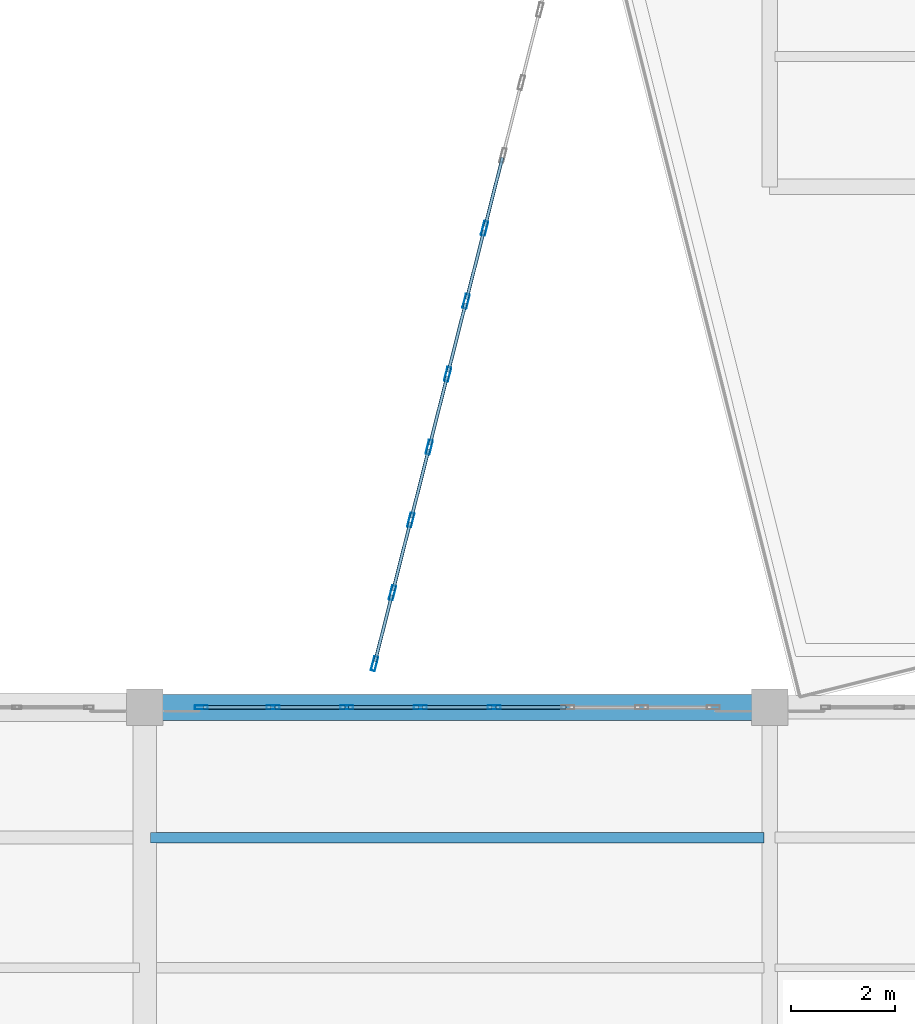
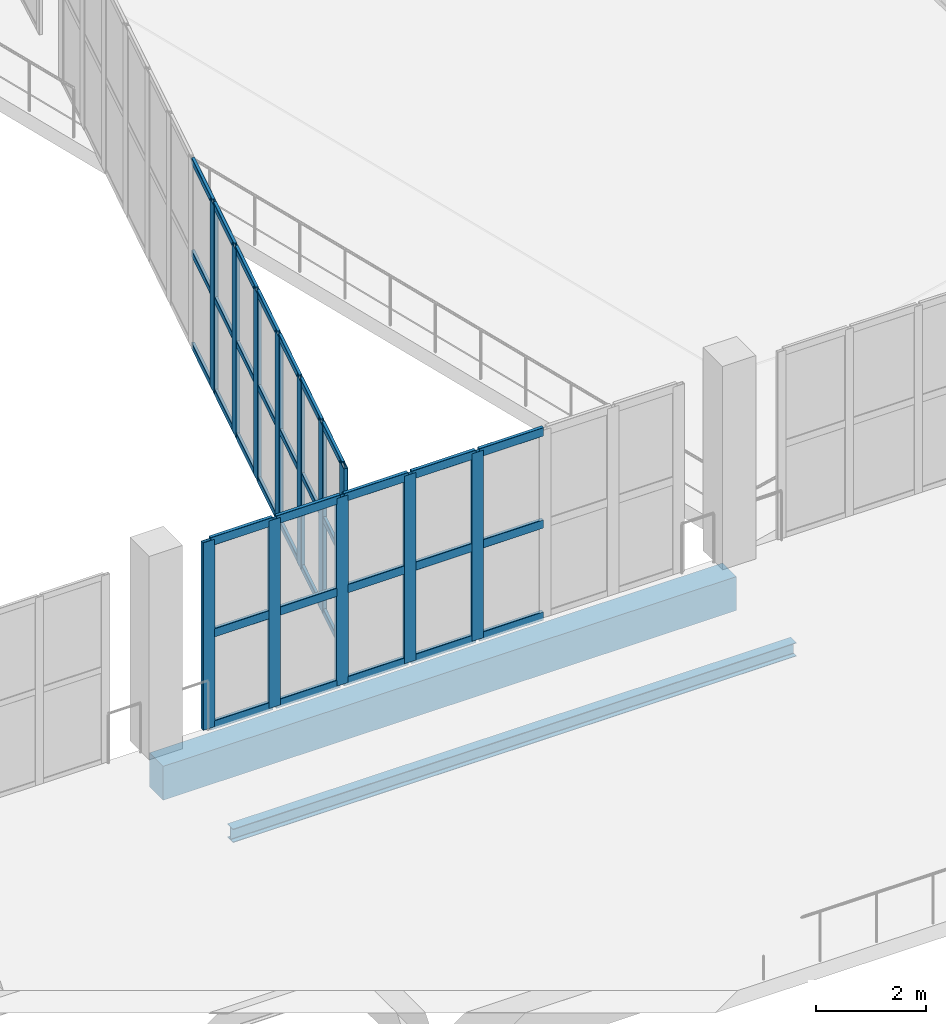
# One storey, part 21 of 108: 48 members, 2 beams, 2 elements without a shape of their own.
"""IFC4 building model written with IfcOpenShell, lengths in metres."""

from ifc_helpers import new_model, si_unit, direction, frame, origin, origin_2d, place, context, subcontext, project, spatial, rectangle, hollow_rectangle, i_section, extrude, material, layer, layer_set, material_profile, profile_set, type_object, element, aggregate, save


model = new_model("IFC4")

# Units and contexts
model_context = context("Model", 3, precision=1e-05, world=origin(), true_north=direction((0.0, 1.0)))
body_context = subcontext(model_context, "Body", "Model", "MODEL_VIEW")
ifc_project = project(units=[si_unit("LENGTHUNIT", "METRE"), si_unit("AREAUNIT", "SQUARE_METRE"), si_unit("VOLUMEUNIT", "CUBIC_METRE"), si_unit("PLANEANGLEUNIT", "RADIAN"), si_unit("MASSUNIT", "GRAM", prefix="KILO")], contexts=[model_context])

# Site, building, storey
site_placement = place(None, origin())
site = spatial("IfcSite", under=ifc_project, at=site_placement, CompositionType="ELEMENT")
building_placement = place(site_placement, origin())
building = spatial("IfcBuilding", under=site, at=building_placement, Name="Brinegate Civic Arena", CompositionType="ELEMENT")
storey_placement = place(building_placement, frame((0.0, 0.0, 10.199951171875)))
storey = spatial("IfcBuildingStorey", under=building, at=storey_placement, Name="L02", CompositionType="ELEMENT", Elevation=10.199951171875)

# Curtain wall, members
ifc_material_1 = material(Name="Marine grade aluminium", Category="aluminium")
ifc_layer_1 = layer(ifc_material_1, 0.18505859375, Name="Marine grade aluminium")
ifc_layer_set_1 = layer_set([ifc_layer_1], Name="Marine grade aluminium")
curtain_wall_type_1 = type_object("IfcCurtainWallType", Name="CW-WING-GLAZED-03", PredefinedType="USERDEFINED", material=ifc_layer_set_1)
curtain_wall_1_placement = place(storey_placement, origin())
curtain_wall_1 = element("IfcCurtainWall", 1, at=curtain_wall_1_placement, inside=storey, type_object=curtain_wall_type_1, Name="Curtain Wall CWA-024", ObjectType="GLAZED CURTAIN WALL", PredefinedType="USERDEFINED")
ifc_material_profile_1 = material_profile(ifc_material_1, hollow_rectangle(XDim=0.074951171875, YDim=0.25, WallThickness=0.006103515625, InnerFilletRadius=0.00390625, OuterFilletRadius=0.008056640625, at=origin_2d()), Name="MUL75X250")
ifc_profile_set_1 = profile_set([ifc_material_profile_1], Name="Marine grade aluminium")
member_type_1 = type_object("IfcMemberType", Name="CW-MULLION-75X250", PredefinedType="MULLION", material=ifc_profile_set_1)
member_1_placement = place(storey_placement, frame((25.08251953125, 52.0, 0.0), z_axis=(0.0, 0.0, 1.0), x_axis=(0.0, 1.0, 0.0)))
member_1 = element("IfcMember", 2, at=member_1_placement, type_object=member_type_1, Name="CWA-024 mullion 1", PredefinedType="MULLION", context=body_context, shape_type="SweptSolid", body=[
    extrude(hollow_rectangle(XDim=0.074951171875, YDim=0.25, WallThickness=0.006103515625, InnerFilletRadius=0.00390625, OuterFilletRadius=0.008056640625, at=origin_2d()), origin(), (0.0, 0.0, 1.0), 4.150146484375),
])
member_2_placement = place(storey_placement, frame((26.460693359375, 52.0, 0.0), z_axis=(0.0, 0.0, 1.0), x_axis=(0.0, 1.0, 0.0)))
member_2 = element("IfcMember", 3, at=member_2_placement, type_object=member_type_1, Name="CWA-024 mullion 2", PredefinedType="MULLION", context=body_context, shape_type="SweptSolid", body=[
    extrude(hollow_rectangle(XDim=0.074951171875, YDim=0.25, WallThickness=0.006103515625, InnerFilletRadius=0.00390625, OuterFilletRadius=0.008056640625, at=origin_2d()), origin(), (0.0, 0.0, 1.0), 4.150146484375),
])
member_3_placement = place(storey_placement, frame((27.87646484375, 52.0, 0.0), z_axis=(0.0, 0.0, 1.0), x_axis=(0.0, 1.0, 0.0)))
member_3 = element("IfcMember", 4, at=member_3_placement, type_object=member_type_1, Name="CWA-024 mullion 3", PredefinedType="MULLION", context=body_context, shape_type="SweptSolid", body=[
    extrude(hollow_rectangle(XDim=0.074951171875, YDim=0.25, WallThickness=0.006103515625, InnerFilletRadius=0.00390625, OuterFilletRadius=0.008056640625, at=origin_2d()), origin(), (0.0, 0.0, 1.0), 4.150146484375),
])
member_4_placement = place(storey_placement, frame((29.292236328125, 52.0, 0.0), z_axis=(0.0, 0.0, 1.0), x_axis=(0.0, 1.0, 0.0)))
member_4 = element("IfcMember", 5, at=member_4_placement, type_object=member_type_1, Name="CWA-024 mullion 4", PredefinedType="MULLION", context=body_context, shape_type="SweptSolid", body=[
    extrude(hollow_rectangle(XDim=0.074951171875, YDim=0.25, WallThickness=0.006103515625, InnerFilletRadius=0.00390625, OuterFilletRadius=0.008056640625, at=origin_2d()), origin(), (0.0, 0.0, 1.0), 4.150146484375),
])
member_5_placement = place(storey_placement, frame((30.707763671875, 52.0, 0.0), z_axis=(0.0, 0.0, 1.0), x_axis=(0.0, 1.0, 0.0)))
member_5 = element("IfcMember", 6, at=member_5_placement, type_object=member_type_1, Name="CWA-024 mullion 5", PredefinedType="MULLION", context=body_context, shape_type="SweptSolid", body=[
    extrude(hollow_rectangle(XDim=0.074951171875, YDim=0.25, WallThickness=0.006103515625, InnerFilletRadius=0.00390625, OuterFilletRadius=0.008056640625, at=origin_2d()), origin(), (0.0, 0.0, 1.0), 4.150146484375),
])

ifc_layer_2 = layer(ifc_material_1, 0.215087890625, Name="Marine grade aluminium")
ifc_layer_set_2 = layer_set([ifc_layer_2], Name="Marine grade aluminium")
curtain_wall_type_2 = type_object("IfcCurtainWallType", Name="CW-FOYER-GLAZED-02", PredefinedType="USERDEFINED", material=ifc_layer_set_2)
curtain_wall_2_placement = place(storey_placement, origin())
curtain_wall_2 = element("IfcCurtainWall", 7, at=curtain_wall_2_placement, inside=storey, type_object=curtain_wall_type_2, Name="Curtain Wall CWA-003", ObjectType="GLAZED CURTAIN WALL", PredefinedType="USERDEFINED")
ifc_material_profile_2 = material_profile(ifc_material_1, hollow_rectangle(XDim=0.080078125, YDim=0.280029296875, WallThickness=0.007080078125, InnerFilletRadius=0.0048828125, OuterFilletRadius=0.010009765625, at=origin_2d()), Name="MUL80X280")
ifc_profile_set_2 = profile_set([ifc_material_profile_2], Name="Marine grade aluminium")
member_type_2 = type_object("IfcMemberType", Name="CW-MULLION-80X280", PredefinedType="MULLION", material=ifc_profile_set_2)
member_6_placement = place(storey_placement, frame((28.409912109375, 52.8388671875, 0.0), z_axis=(0.0, 0.0, 1.0), x_axis=(-0.969512556417, 0.245041635134, 0.0)))
member_6 = element("IfcMember", 8, at=member_6_placement, type_object=member_type_2, Name="CWA-003 mullion 1", PredefinedType="MULLION", context=body_context, shape_type="SweptSolid", body=[
    extrude(hollow_rectangle(XDim=0.080078125, YDim=0.280029296875, WallThickness=0.007080078125, InnerFilletRadius=0.0048828125, OuterFilletRadius=0.010009765625, at=origin_2d()), origin(), (0.0, 0.0, 1.0), 4.150146484375),
])
member_7_placement = place(storey_placement, frame((28.75390625, 54.199951171875, 0.0), z_axis=(0.0, 0.0, 1.0), x_axis=(-0.969512556417, 0.245041635134, 0.0)))
member_7 = element("IfcMember", 9, at=member_7_placement, type_object=member_type_2, Name="CWA-003 mullion 2", PredefinedType="MULLION", context=body_context, shape_type="SweptSolid", body=[
    extrude(hollow_rectangle(XDim=0.080078125, YDim=0.280029296875, WallThickness=0.007080078125, InnerFilletRadius=0.0048828125, OuterFilletRadius=0.010009765625, at=origin_2d()), origin(), (0.0, 0.0, 1.0), 4.150146484375),
])
member_8_placement = place(storey_placement, frame((29.107666015625, 55.60009765625, 0.0), z_axis=(0.0, 0.0, 1.0), x_axis=(-0.969512556417, 0.245041635134, 0.0)))
member_8 = element("IfcMember", 10, at=member_8_placement, type_object=member_type_2, Name="CWA-003 mullion 3", PredefinedType="MULLION", context=body_context, shape_type="SweptSolid", body=[
    extrude(hollow_rectangle(XDim=0.080078125, YDim=0.280029296875, WallThickness=0.007080078125, InnerFilletRadius=0.0048828125, OuterFilletRadius=0.010009765625, at=origin_2d()), origin(), (0.0, 0.0, 1.0), 4.150146484375),
])
member_9_placement = place(storey_placement, frame((29.46142578125, 57.0, 0.0), z_axis=(0.0, 0.0, 1.0), x_axis=(-0.969512556417, 0.245041635134, 0.0)))
member_9 = element("IfcMember", 11, at=member_9_placement, type_object=member_type_2, Name="CWA-003 mullion 4", PredefinedType="MULLION", context=body_context, shape_type="SweptSolid", body=[
    extrude(hollow_rectangle(XDim=0.080078125, YDim=0.280029296875, WallThickness=0.007080078125, InnerFilletRadius=0.0048828125, OuterFilletRadius=0.010009765625, at=origin_2d()), origin(), (0.0, 0.0, 1.0), 4.150146484375),
])
member_10_placement = place(storey_placement, frame((29.8154296875, 58.39990234375, 0.0), z_axis=(0.0, 0.0, 1.0), x_axis=(-0.969512556417, 0.245041635134, 0.0)))
member_10 = element("IfcMember", 12, at=member_10_placement, type_object=member_type_2, Name="CWA-003 mullion 5", PredefinedType="MULLION", context=body_context, shape_type="SweptSolid", body=[
    extrude(hollow_rectangle(XDim=0.080078125, YDim=0.280029296875, WallThickness=0.007080078125, InnerFilletRadius=0.0048828125, OuterFilletRadius=0.010009765625, at=origin_2d()), origin(), (0.0, 0.0, 1.0), 4.150146484375),
])
member_11_placement = place(storey_placement, frame((30.169189453125, 59.800048828125, 0.0), z_axis=(0.0, 0.0, 1.0), x_axis=(-0.969512556417, 0.245041635134, 0.0)))
member_11 = element("IfcMember", 13, at=member_11_placement, type_object=member_type_2, Name="CWA-003 mullion 6", PredefinedType="MULLION", context=body_context, shape_type="SweptSolid", body=[
    extrude(hollow_rectangle(XDim=0.080078125, YDim=0.280029296875, WallThickness=0.007080078125, InnerFilletRadius=0.0048828125, OuterFilletRadius=0.010009765625, at=origin_2d()), origin(), (0.0, 0.0, 1.0), 4.150146484375),
])
member_12_placement = place(storey_placement, frame((30.523193359375, 61.199951171875, 0.0), z_axis=(0.0, 0.0, 1.0), x_axis=(-0.969512556417, 0.245041635134, 0.0)))
member_12 = element("IfcMember", 14, at=member_12_placement, type_object=member_type_2, Name="CWA-003 mullion 7", PredefinedType="MULLION", context=body_context, shape_type="SweptSolid", body=[
    extrude(hollow_rectangle(XDim=0.080078125, YDim=0.280029296875, WallThickness=0.007080078125, InnerFilletRadius=0.0048828125, OuterFilletRadius=0.010009765625, at=origin_2d()), origin(), (0.0, 0.0, 1.0), 4.150146484375),
])
ifc_material_profile_3 = material_profile(ifc_material_1, hollow_rectangle(XDim=0.06494140625, YDim=0.139892578125, WallThickness=0.0048828125, InnerFilletRadius=0.00390625, OuterFilletRadius=0.008056640625, at=origin_2d()), Name="TRN65X140")
ifc_profile_set_3 = profile_set([ifc_material_profile_3], Name="Marine grade aluminium")
member_type_3 = type_object("IfcMemberType", Name="CW-TRANSOM-65X140", PredefinedType="USERDEFINED", material=ifc_profile_set_3)
member_13_placement = place(storey_placement, frame((28.419677734375, 52.87744140625, 0.032470703125), z_axis=(0.245051157983, 0.969510149494, 0.0), x_axis=(-0.969510149494, 0.245051157983, 0.0)))
member_13 = element("IfcMember", 15, at=member_13_placement, type_object=member_type_3, Name="CWA-003 transom 1.1", ObjectType="TRANSOM", PredefinedType="USERDEFINED", context=body_context, shape_type="SweptSolid", body=[
    extrude(hollow_rectangle(XDim=0.06494140625, YDim=0.139892578125, WallThickness=0.0048828125, InnerFilletRadius=0.00390625, OuterFilletRadius=0.008056640625, at=origin_2d()), origin(), (0.0, 0.0, 1.0), 1.323974609375),
])
member_14_placement = place(storey_placement, frame((28.419677734375, 52.87744140625, 2.074951171875), z_axis=(0.245051157983, 0.969510149494, 0.0), x_axis=(-0.969510149494, 0.245051157983, 0.0)))
member_14 = element("IfcMember", 16, at=member_14_placement, type_object=member_type_3, Name="CWA-003 transom 1.2", ObjectType="TRANSOM", PredefinedType="USERDEFINED", context=body_context, shape_type="SweptSolid", body=[
    extrude(hollow_rectangle(XDim=0.06494140625, YDim=0.139892578125, WallThickness=0.0048828125, InnerFilletRadius=0.00390625, OuterFilletRadius=0.008056640625, at=origin_2d()), origin(), (0.0, 0.0, 1.0), 1.323974609375),
])
member_15_placement = place(storey_placement, frame((28.419677734375, 52.87744140625, 4.117431640625), z_axis=(0.245051157983, 0.969510149494, 0.0), x_axis=(-0.969510149494, 0.245051157983, 0.0)))
member_15 = element("IfcMember", 17, at=member_15_placement, type_object=member_type_3, Name="CWA-003 transom 1.3", ObjectType="TRANSOM", PredefinedType="USERDEFINED", context=body_context, shape_type="SweptSolid", body=[
    extrude(hollow_rectangle(XDim=0.06494140625, YDim=0.139892578125, WallThickness=0.0048828125, InnerFilletRadius=0.00390625, OuterFilletRadius=0.008056640625, at=origin_2d()), origin(), (0.0, 0.0, 1.0), 1.323974609375),
])
member_16_placement = place(storey_placement, frame((28.763671875, 54.23876953125, 0.032470703125), z_axis=(0.24501945087, 0.969518163159, 0.0), x_axis=(-0.969518163159, 0.24501945087, 0.0)))
member_16 = element("IfcMember", 18, at=member_16_placement, type_object=member_type_3, Name="CWA-003 transom 2.1", ObjectType="TRANSOM", PredefinedType="USERDEFINED", context=body_context, shape_type="SweptSolid", body=[
    extrude(hollow_rectangle(XDim=0.06494140625, YDim=0.139892578125, WallThickness=0.0048828125, InnerFilletRadius=0.00390625, OuterFilletRadius=0.008056640625, at=origin_2d()), origin(), (0.0, 0.0, 1.0), 1.364013671875),
])
member_17_placement = place(storey_placement, frame((28.763671875, 54.23876953125, 2.074951171875), z_axis=(0.24501945087, 0.969518163159, 0.0), x_axis=(-0.969518163159, 0.24501945087, 0.0)))
member_17 = element("IfcMember", 19, at=member_17_placement, type_object=member_type_3, Name="CWA-003 transom 2.2", ObjectType="TRANSOM", PredefinedType="USERDEFINED", context=body_context, shape_type="SweptSolid", body=[
    extrude(hollow_rectangle(XDim=0.06494140625, YDim=0.139892578125, WallThickness=0.0048828125, InnerFilletRadius=0.00390625, OuterFilletRadius=0.008056640625, at=origin_2d()), origin(), (0.0, 0.0, 1.0), 1.364013671875),
])
member_18_placement = place(storey_placement, frame((28.763671875, 54.23876953125, 4.117431640625), z_axis=(0.24501945087, 0.969518163159, 0.0), x_axis=(-0.969518163159, 0.24501945087, 0.0)))
member_18 = element("IfcMember", 20, at=member_18_placement, type_object=member_type_3, Name="CWA-003 transom 2.3", ObjectType="TRANSOM", PredefinedType="USERDEFINED", context=body_context, shape_type="SweptSolid", body=[
    extrude(hollow_rectangle(XDim=0.06494140625, YDim=0.139892578125, WallThickness=0.0048828125, InnerFilletRadius=0.00390625, OuterFilletRadius=0.008056640625, at=origin_2d()), origin(), (0.0, 0.0, 1.0), 1.364013671875),
])
member_19_placement = place(storey_placement, frame((29.117431640625, 55.638671875, 0.032470703125), z_axis=(0.24501945087, 0.969518163159, 0.0), x_axis=(-0.969518163159, 0.24501945087, 0.0)))
member_19 = element("IfcMember", 21, at=member_19_placement, type_object=member_type_3, Name="CWA-003 transom 3.1", ObjectType="TRANSOM", PredefinedType="USERDEFINED", context=body_context, shape_type="SweptSolid", body=[
    extrude(hollow_rectangle(XDim=0.06494140625, YDim=0.139892578125, WallThickness=0.0048828125, InnerFilletRadius=0.00390625, OuterFilletRadius=0.008056640625, at=origin_2d()), origin(), (0.0, 0.0, 1.0), 1.364013671875),
])
member_20_placement = place(storey_placement, frame((29.117431640625, 55.638671875, 2.074951171875), z_axis=(0.24501945087, 0.969518163159, 0.0), x_axis=(-0.969518163159, 0.24501945087, 0.0)))
member_20 = element("IfcMember", 22, at=member_20_placement, type_object=member_type_3, Name="CWA-003 transom 3.2", ObjectType="TRANSOM", PredefinedType="USERDEFINED", context=body_context, shape_type="SweptSolid", body=[
    extrude(hollow_rectangle(XDim=0.06494140625, YDim=0.139892578125, WallThickness=0.0048828125, InnerFilletRadius=0.00390625, OuterFilletRadius=0.008056640625, at=origin_2d()), origin(), (0.0, 0.0, 1.0), 1.364013671875),
])
member_21_placement = place(storey_placement, frame((29.117431640625, 55.638671875, 4.117431640625), z_axis=(0.24501945087, 0.969518163159, 0.0), x_axis=(-0.969518163159, 0.24501945087, 0.0)))
member_21 = element("IfcMember", 23, at=member_21_placement, type_object=member_type_3, Name="CWA-003 transom 3.3", ObjectType="TRANSOM", PredefinedType="USERDEFINED", context=body_context, shape_type="SweptSolid", body=[
    extrude(hollow_rectangle(XDim=0.06494140625, YDim=0.139892578125, WallThickness=0.0048828125, InnerFilletRadius=0.00390625, OuterFilletRadius=0.008056640625, at=origin_2d()), origin(), (0.0, 0.0, 1.0), 1.364013671875),
])
member_22_placement = place(storey_placement, frame((29.471435546875, 57.038818359375, 0.032470703125), z_axis=(0.24501945087, 0.969518163159, 0.0), x_axis=(-0.969518163159, 0.24501945087, 0.0)))
member_22 = element("IfcMember", 24, at=member_22_placement, type_object=member_type_3, Name="CWA-003 transom 4.1", ObjectType="TRANSOM", PredefinedType="USERDEFINED", context=body_context, shape_type="SweptSolid", body=[
    extrude(hollow_rectangle(XDim=0.06494140625, YDim=0.139892578125, WallThickness=0.0048828125, InnerFilletRadius=0.00390625, OuterFilletRadius=0.008056640625, at=origin_2d()), origin(), (0.0, 0.0, 1.0), 1.364013671875),
])
member_23_placement = place(storey_placement, frame((29.471435546875, 57.038818359375, 2.074951171875), z_axis=(0.24501945087, 0.969518163159, 0.0), x_axis=(-0.969518163159, 0.24501945087, 0.0)))
member_23 = element("IfcMember", 25, at=member_23_placement, type_object=member_type_3, Name="CWA-003 transom 4.2", ObjectType="TRANSOM", PredefinedType="USERDEFINED", context=body_context, shape_type="SweptSolid", body=[
    extrude(hollow_rectangle(XDim=0.06494140625, YDim=0.139892578125, WallThickness=0.0048828125, InnerFilletRadius=0.00390625, OuterFilletRadius=0.008056640625, at=origin_2d()), origin(), (0.0, 0.0, 1.0), 1.364013671875),
])
member_24_placement = place(storey_placement, frame((29.471435546875, 57.038818359375, 4.117431640625), z_axis=(0.24501945087, 0.969518163159, 0.0), x_axis=(-0.969518163159, 0.24501945087, 0.0)))
member_24 = element("IfcMember", 26, at=member_24_placement, type_object=member_type_3, Name="CWA-003 transom 4.3", ObjectType="TRANSOM", PredefinedType="USERDEFINED", context=body_context, shape_type="SweptSolid", body=[
    extrude(hollow_rectangle(XDim=0.06494140625, YDim=0.139892578125, WallThickness=0.0048828125, InnerFilletRadius=0.00390625, OuterFilletRadius=0.008056640625, at=origin_2d()), origin(), (0.0, 0.0, 1.0), 1.364013671875),
])
member_25_placement = place(storey_placement, frame((29.8251953125, 58.438720703125, 0.032470703125), z_axis=(0.24501945087, 0.969518163159, 0.0), x_axis=(-0.969518163159, 0.24501945087, 0.0)))
member_25 = element("IfcMember", 27, at=member_25_placement, type_object=member_type_3, Name="CWA-003 transom 5.1", ObjectType="TRANSOM", PredefinedType="USERDEFINED", context=body_context, shape_type="SweptSolid", body=[
    extrude(hollow_rectangle(XDim=0.06494140625, YDim=0.139892578125, WallThickness=0.0048828125, InnerFilletRadius=0.00390625, OuterFilletRadius=0.008056640625, at=origin_2d()), origin(), (0.0, 0.0, 1.0), 1.364013671875),
])
member_26_placement = place(storey_placement, frame((29.8251953125, 58.438720703125, 2.074951171875), z_axis=(0.24501945087, 0.969518163159, 0.0), x_axis=(-0.969518163159, 0.24501945087, 0.0)))
member_26 = element("IfcMember", 28, at=member_26_placement, type_object=member_type_3, Name="CWA-003 transom 5.2", ObjectType="TRANSOM", PredefinedType="USERDEFINED", context=body_context, shape_type="SweptSolid", body=[
    extrude(hollow_rectangle(XDim=0.06494140625, YDim=0.139892578125, WallThickness=0.0048828125, InnerFilletRadius=0.00390625, OuterFilletRadius=0.008056640625, at=origin_2d()), origin(), (0.0, 0.0, 1.0), 1.364013671875),
])
member_27_placement = place(storey_placement, frame((29.8251953125, 58.438720703125, 4.117431640625), z_axis=(0.24501945087, 0.969518163159, 0.0), x_axis=(-0.969518163159, 0.24501945087, 0.0)))
member_27 = element("IfcMember", 29, at=member_27_placement, type_object=member_type_3, Name="CWA-003 transom 5.3", ObjectType="TRANSOM", PredefinedType="USERDEFINED", context=body_context, shape_type="SweptSolid", body=[
    extrude(hollow_rectangle(XDim=0.06494140625, YDim=0.139892578125, WallThickness=0.0048828125, InnerFilletRadius=0.00390625, OuterFilletRadius=0.008056640625, at=origin_2d()), origin(), (0.0, 0.0, 1.0), 1.364013671875),
])
member_28_placement = place(storey_placement, frame((30.178955078125, 59.8388671875, 0.032470703125), z_axis=(0.245061974134, 0.969507415564, 0.0), x_axis=(-0.969507415564, 0.245061974134, 0.0)))
member_28 = element("IfcMember", 30, at=member_28_placement, type_object=member_type_3, Name="CWA-003 transom 6.1", ObjectType="TRANSOM", PredefinedType="USERDEFINED", context=body_context, shape_type="SweptSolid", body=[
    extrude(hollow_rectangle(XDim=0.06494140625, YDim=0.139892578125, WallThickness=0.0048828125, InnerFilletRadius=0.00390625, OuterFilletRadius=0.008056640625, at=origin_2d()), origin(), (0.0, 0.0, 1.0), 1.36376953125),
])
member_29_placement = place(storey_placement, frame((30.178955078125, 59.8388671875, 2.074951171875), z_axis=(0.245061974134, 0.969507415564, 0.0), x_axis=(-0.969507415564, 0.245061974134, 0.0)))
member_29 = element("IfcMember", 31, at=member_29_placement, type_object=member_type_3, Name="CWA-003 transom 6.2", ObjectType="TRANSOM", PredefinedType="USERDEFINED", context=body_context, shape_type="SweptSolid", body=[
    extrude(hollow_rectangle(XDim=0.06494140625, YDim=0.139892578125, WallThickness=0.0048828125, InnerFilletRadius=0.00390625, OuterFilletRadius=0.008056640625, at=origin_2d()), origin(), (0.0, 0.0, 1.0), 1.36376953125),
])
member_30_placement = place(storey_placement, frame((30.178955078125, 59.8388671875, 4.117431640625), z_axis=(0.245061974134, 0.969507415564, 0.0), x_axis=(-0.969507415564, 0.245061974134, 0.0)))
member_30 = element("IfcMember", 32, at=member_30_placement, type_object=member_type_3, Name="CWA-003 transom 6.3", ObjectType="TRANSOM", PredefinedType="USERDEFINED", context=body_context, shape_type="SweptSolid", body=[
    extrude(hollow_rectangle(XDim=0.06494140625, YDim=0.139892578125, WallThickness=0.0048828125, InnerFilletRadius=0.00390625, OuterFilletRadius=0.008056640625, at=origin_2d()), origin(), (0.0, 0.0, 1.0), 1.36376953125),
])
member_31_placement = place(storey_placement, frame((30.532958984375, 61.23876953125, 0.032470703125), z_axis=(0.24501945087, 0.969518163159, 0.0), x_axis=(-0.969518163159, 0.24501945087, 0.0)))
member_31 = element("IfcMember", 33, at=member_31_placement, type_object=member_type_3, Name="CWA-003 transom 7.1", ObjectType="TRANSOM", PredefinedType="USERDEFINED", context=body_context, shape_type="SweptSolid", body=[
    extrude(hollow_rectangle(XDim=0.06494140625, YDim=0.139892578125, WallThickness=0.0048828125, InnerFilletRadius=0.00390625, OuterFilletRadius=0.008056640625, at=origin_2d()), origin(), (0.0, 0.0, 1.0), 1.364013671875),
])
member_32_placement = place(storey_placement, frame((30.532958984375, 61.23876953125, 2.074951171875), z_axis=(0.24501945087, 0.969518163159, 0.0), x_axis=(-0.969518163159, 0.24501945087, 0.0)))
member_32 = element("IfcMember", 34, at=member_32_placement, type_object=member_type_3, Name="CWA-003 transom 7.2", ObjectType="TRANSOM", PredefinedType="USERDEFINED", context=body_context, shape_type="SweptSolid", body=[
    extrude(hollow_rectangle(XDim=0.06494140625, YDim=0.139892578125, WallThickness=0.0048828125, InnerFilletRadius=0.00390625, OuterFilletRadius=0.008056640625, at=origin_2d()), origin(), (0.0, 0.0, 1.0), 1.364013671875),
])
member_33_placement = place(storey_placement, frame((30.532958984375, 61.23876953125, 4.117431640625), z_axis=(0.24501945087, 0.969518163159, 0.0), x_axis=(-0.969518163159, 0.24501945087, 0.0)))
member_33 = element("IfcMember", 35, at=member_33_placement, type_object=member_type_3, Name="CWA-003 transom 7.3", ObjectType="TRANSOM", PredefinedType="USERDEFINED", context=body_context, shape_type="SweptSolid", body=[
    extrude(hollow_rectangle(XDim=0.06494140625, YDim=0.139892578125, WallThickness=0.0048828125, InnerFilletRadius=0.00390625, OuterFilletRadius=0.008056640625, at=origin_2d()), origin(), (0.0, 0.0, 1.0), 1.364013671875),
])
aggregate(curtain_wall_2, [member_6, member_7, member_8, member_9, member_10, member_11, member_12, member_13, member_14, member_15, member_16, member_17, member_18, member_19, member_20, member_21, member_22, member_23, member_24, member_25, member_26, member_27, member_28, member_29, member_30, member_31, member_32, member_33])

# Member
ifc_material_profile_4 = material_profile(ifc_material_1, hollow_rectangle(XDim=0.074951171875, YDim=0.18994140625, WallThickness=0.006103515625, InnerFilletRadius=0.00390625, OuterFilletRadius=0.008056640625, at=origin_2d()), Name="TRN75X190")
ifc_profile_set_4 = profile_set([ifc_material_profile_4], Name="Marine grade aluminium")
member_type_4 = type_object("IfcMemberType", Name="CW-TRANSOM-75X190", PredefinedType="USERDEFINED", material=ifc_profile_set_4)
member_34_placement = place(storey_placement, frame((25.1201171875, 52.0, 0.03759765625), z_axis=(1.0, 0.0, 0.0), x_axis=(0.0, 1.0, 0.0)))
member_34 = element("IfcMember", 36, at=member_34_placement, type_object=member_type_4, Name="CWA-024 transom 1.1", ObjectType="TRANSOM", PredefinedType="USERDEFINED", context=body_context, shape_type="SweptSolid", body=[
    extrude(hollow_rectangle(XDim=0.074951171875, YDim=0.18994140625, WallThickness=0.006103515625, InnerFilletRadius=0.00390625, OuterFilletRadius=0.008056640625, at=origin_2d()), origin(), (0.0, 0.0, 1.0), 1.302978515625),
])

member_35_placement = place(storey_placement, frame((25.1201171875, 52.0, 2.074951171875), z_axis=(1.0, 0.0, 0.0), x_axis=(0.0, 1.0, 0.0)))
member_35 = element("IfcMember", 37, at=member_35_placement, type_object=member_type_4, Name="CWA-024 transom 1.2", ObjectType="TRANSOM", PredefinedType="USERDEFINED", context=body_context, shape_type="SweptSolid", body=[
    extrude(hollow_rectangle(XDim=0.074951171875, YDim=0.18994140625, WallThickness=0.006103515625, InnerFilletRadius=0.00390625, OuterFilletRadius=0.008056640625, at=origin_2d()), origin(), (0.0, 0.0, 1.0), 1.302978515625),
])

member_36_placement = place(storey_placement, frame((25.1201171875, 52.0, 4.112548828125), z_axis=(1.0, 0.0, 0.0), x_axis=(0.0, 1.0, 0.0)))
member_36 = element("IfcMember", 38, at=member_36_placement, type_object=member_type_4, Name="CWA-024 transom 1.3", ObjectType="TRANSOM", PredefinedType="USERDEFINED", context=body_context, shape_type="SweptSolid", body=[
    extrude(hollow_rectangle(XDim=0.074951171875, YDim=0.18994140625, WallThickness=0.006103515625, InnerFilletRadius=0.00390625, OuterFilletRadius=0.008056640625, at=origin_2d()), origin(), (0.0, 0.0, 1.0), 1.302978515625),
])

member_37_placement = place(storey_placement, frame((26.498291015625, 52.0, 0.03759765625), z_axis=(1.0, 0.0, 0.0), x_axis=(0.0, 1.0, 0.0)))
member_37 = element("IfcMember", 39, at=member_37_placement, type_object=member_type_4, Name="CWA-024 transom 2.1", ObjectType="TRANSOM", PredefinedType="USERDEFINED", context=body_context, shape_type="SweptSolid", body=[
    extrude(hollow_rectangle(XDim=0.074951171875, YDim=0.18994140625, WallThickness=0.006103515625, InnerFilletRadius=0.00390625, OuterFilletRadius=0.008056640625, at=origin_2d()), origin(), (0.0, 0.0, 1.0), 1.340576171875),
])

member_38_placement = place(storey_placement, frame((26.498291015625, 52.0, 2.074951171875), z_axis=(1.0, 0.0, 0.0), x_axis=(0.0, 1.0, 0.0)))
member_38 = element("IfcMember", 40, at=member_38_placement, type_object=member_type_4, Name="CWA-024 transom 2.2", ObjectType="TRANSOM", PredefinedType="USERDEFINED", context=body_context, shape_type="SweptSolid", body=[
    extrude(hollow_rectangle(XDim=0.074951171875, YDim=0.18994140625, WallThickness=0.006103515625, InnerFilletRadius=0.00390625, OuterFilletRadius=0.008056640625, at=origin_2d()), origin(), (0.0, 0.0, 1.0), 1.340576171875),
])

member_39_placement = place(storey_placement, frame((26.498291015625, 52.0, 4.112548828125), z_axis=(1.0, 0.0, 0.0), x_axis=(0.0, 1.0, 0.0)))
member_39 = element("IfcMember", 41, at=member_39_placement, type_object=member_type_4, Name="CWA-024 transom 2.3", ObjectType="TRANSOM", PredefinedType="USERDEFINED", context=body_context, shape_type="SweptSolid", body=[
    extrude(hollow_rectangle(XDim=0.074951171875, YDim=0.18994140625, WallThickness=0.006103515625, InnerFilletRadius=0.00390625, OuterFilletRadius=0.008056640625, at=origin_2d()), origin(), (0.0, 0.0, 1.0), 1.340576171875),
])

member_40_placement = place(storey_placement, frame((27.913818359375, 52.0, 0.03759765625), z_axis=(1.0, 0.0, 0.0), x_axis=(0.0, 1.0, 0.0)))
member_40 = element("IfcMember", 42, at=member_40_placement, type_object=member_type_4, Name="CWA-024 transom 3.1", ObjectType="TRANSOM", PredefinedType="USERDEFINED", context=body_context, shape_type="SweptSolid", body=[
    extrude(hollow_rectangle(XDim=0.074951171875, YDim=0.18994140625, WallThickness=0.006103515625, InnerFilletRadius=0.00390625, OuterFilletRadius=0.008056640625, at=origin_2d()), origin(), (0.0, 0.0, 1.0), 1.3408203125),
])

member_41_placement = place(storey_placement, frame((27.913818359375, 52.0, 2.074951171875), z_axis=(1.0, 0.0, 0.0), x_axis=(0.0, 1.0, 0.0)))
member_41 = element("IfcMember", 43, at=member_41_placement, type_object=member_type_4, Name="CWA-024 transom 3.2", ObjectType="TRANSOM", PredefinedType="USERDEFINED", context=body_context, shape_type="SweptSolid", body=[
    extrude(hollow_rectangle(XDim=0.074951171875, YDim=0.18994140625, WallThickness=0.006103515625, InnerFilletRadius=0.00390625, OuterFilletRadius=0.008056640625, at=origin_2d()), origin(), (0.0, 0.0, 1.0), 1.3408203125),
])

member_42_placement = place(storey_placement, frame((27.913818359375, 52.0, 4.112548828125), z_axis=(1.0, 0.0, 0.0), x_axis=(0.0, 1.0, 0.0)))
member_42 = element("IfcMember", 44, at=member_42_placement, type_object=member_type_4, Name="CWA-024 transom 3.3", ObjectType="TRANSOM", PredefinedType="USERDEFINED", context=body_context, shape_type="SweptSolid", body=[
    extrude(hollow_rectangle(XDim=0.074951171875, YDim=0.18994140625, WallThickness=0.006103515625, InnerFilletRadius=0.00390625, OuterFilletRadius=0.008056640625, at=origin_2d()), origin(), (0.0, 0.0, 1.0), 1.3408203125),
])

member_43_placement = place(storey_placement, frame((29.32958984375, 52.0, 0.03759765625), z_axis=(1.0, 0.0, 0.0), x_axis=(0.0, 1.0, 0.0)))
member_43 = element("IfcMember", 45, at=member_43_placement, type_object=member_type_4, Name="CWA-024 transom 4.1", ObjectType="TRANSOM", PredefinedType="USERDEFINED", context=body_context, shape_type="SweptSolid", body=[
    extrude(hollow_rectangle(XDim=0.074951171875, YDim=0.18994140625, WallThickness=0.006103515625, InnerFilletRadius=0.00390625, OuterFilletRadius=0.008056640625, at=origin_2d()), origin(), (0.0, 0.0, 1.0), 1.3408203125),
])

member_44_placement = place(storey_placement, frame((29.32958984375, 52.0, 2.074951171875), z_axis=(1.0, 0.0, 0.0), x_axis=(0.0, 1.0, 0.0)))
member_44 = element("IfcMember", 46, at=member_44_placement, type_object=member_type_4, Name="CWA-024 transom 4.2", ObjectType="TRANSOM", PredefinedType="USERDEFINED", context=body_context, shape_type="SweptSolid", body=[
    extrude(hollow_rectangle(XDim=0.074951171875, YDim=0.18994140625, WallThickness=0.006103515625, InnerFilletRadius=0.00390625, OuterFilletRadius=0.008056640625, at=origin_2d()), origin(), (0.0, 0.0, 1.0), 1.3408203125),
])

member_45_placement = place(storey_placement, frame((29.32958984375, 52.0, 4.112548828125), z_axis=(1.0, 0.0, 0.0), x_axis=(0.0, 1.0, 0.0)))
member_45 = element("IfcMember", 47, at=member_45_placement, type_object=member_type_4, Name="CWA-024 transom 4.3", ObjectType="TRANSOM", PredefinedType="USERDEFINED", context=body_context, shape_type="SweptSolid", body=[
    extrude(hollow_rectangle(XDim=0.074951171875, YDim=0.18994140625, WallThickness=0.006103515625, InnerFilletRadius=0.00390625, OuterFilletRadius=0.008056640625, at=origin_2d()), origin(), (0.0, 0.0, 1.0), 1.3408203125),
])

member_46_placement = place(storey_placement, frame((30.745361328125, 52.0, 0.03759765625), z_axis=(1.0, 0.0, 0.0), x_axis=(0.0, 1.0, 0.0)))
member_46 = element("IfcMember", 48, at=member_46_placement, type_object=member_type_4, Name="CWA-024 transom 5.1", ObjectType="TRANSOM", PredefinedType="USERDEFINED", context=body_context, shape_type="SweptSolid", body=[
    extrude(hollow_rectangle(XDim=0.074951171875, YDim=0.18994140625, WallThickness=0.006103515625, InnerFilletRadius=0.00390625, OuterFilletRadius=0.008056640625, at=origin_2d()), origin(), (0.0, 0.0, 1.0), 1.3408203125),
])

member_47_placement = place(storey_placement, frame((30.745361328125, 52.0, 2.074951171875), z_axis=(1.0, 0.0, 0.0), x_axis=(0.0, 1.0, 0.0)))
member_47 = element("IfcMember", 49, at=member_47_placement, type_object=member_type_4, Name="CWA-024 transom 5.2", ObjectType="TRANSOM", PredefinedType="USERDEFINED", context=body_context, shape_type="SweptSolid", body=[
    extrude(hollow_rectangle(XDim=0.074951171875, YDim=0.18994140625, WallThickness=0.006103515625, InnerFilletRadius=0.00390625, OuterFilletRadius=0.008056640625, at=origin_2d()), origin(), (0.0, 0.0, 1.0), 1.3408203125),
])

member_48_placement = place(storey_placement, frame((30.745361328125, 52.0, 4.112548828125), z_axis=(1.0, 0.0, 0.0), x_axis=(0.0, 1.0, 0.0)))
member_48 = element("IfcMember", 50, at=member_48_placement, type_object=member_type_4, Name="CWA-024 transom 5.3", ObjectType="TRANSOM", PredefinedType="USERDEFINED", context=body_context, shape_type="SweptSolid", body=[
    extrude(hollow_rectangle(XDim=0.074951171875, YDim=0.18994140625, WallThickness=0.006103515625, InnerFilletRadius=0.00390625, OuterFilletRadius=0.008056640625, at=origin_2d()), origin(), (0.0, 0.0, 1.0), 1.3408203125),
])

aggregate(curtain_wall_1, [member_1, member_2, member_3, member_4, member_5, member_34, member_35, member_36, member_37, member_38, member_39, member_40, member_41, member_42, member_43, member_44, member_45, member_46, member_47, member_48])

# Beams
ifc_material_2 = material(Name="Steel S355", Category="steel")
ifc_material_profile_5 = material_profile(ifc_material_2, i_section(OverallWidth=0.202880859375, OverallDepth=0.302978515625, WebThickness=0.008056640625, FlangeThickness=0.012939453125, FilletRadius=0.012939453125, at=origin_2d()), Name="W310X60")
ifc_profile_set_5 = profile_set([ifc_material_profile_5], Name="Steel S355")
beam_type_1 = type_object("IfcBeamType", Name="JOIST-W310X60", PredefinedType="JOIST", material=ifc_profile_set_5)
beam_1_placement = place(storey_placement, frame((24.10595703125, 49.5, -0.48095703125), z_axis=(1.0, 0.0, 0.0), x_axis=(0.0, 1.0, 0.0)))
element("IfcBeam", 51, at=beam_1_placement, inside=storey, type_object=beam_type_1, Name="Secondary Joist BM-L02-JX-02-04-3", PredefinedType="JOIST", context=body_context, shape_type="SweptSolid", body=[
    extrude(i_section(OverallWidth=0.202880859375, OverallDepth=0.302978515625, WebThickness=0.008056640625, FlangeThickness=0.012939453125, FilletRadius=0.012939453125, at=origin_2d()), origin(), (0.0, 0.0, 1.0), 11.7880859375),
])
ifc_material_3 = material(Name="Concrete C50/60", Category="concrete")
ifc_material_profile_6 = material_profile(ifc_material_3, rectangle(XDim=0.5, YDim=0.75, at=origin_2d()), Name="RCB500X750")
ifc_profile_set_6 = profile_set([ifc_material_profile_6], Name="Concrete C50/60")
beam_type_2 = type_object("IfcBeamType", Name="RCG-500X750", PredefinedType="BEAM", material=ifc_profile_set_6)
beam_2_placement = place(storey_placement, frame((24.0, 52.0, -0.704833984375), z_axis=(1.0, 0.0, 0.0), x_axis=(0.0, 1.0, 0.0)))
element("IfcBeam", 52, at=beam_2_placement, inside=storey, type_object=beam_type_2, Name="Floor Girder BM-L02-GX-02-05", PredefinedType="BEAM", context=body_context, shape_type="SweptSolid", body=[
    extrude(rectangle(XDim=0.5, YDim=0.75, at=origin_2d()), origin(), (0.0, 0.0, 1.0), 12.0),
])

save(model, "model.ifc")
